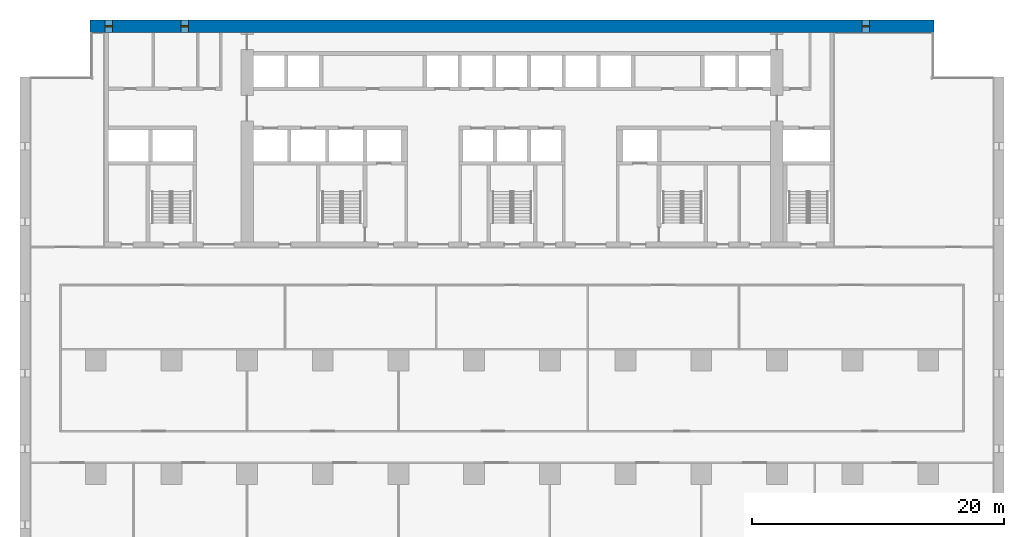
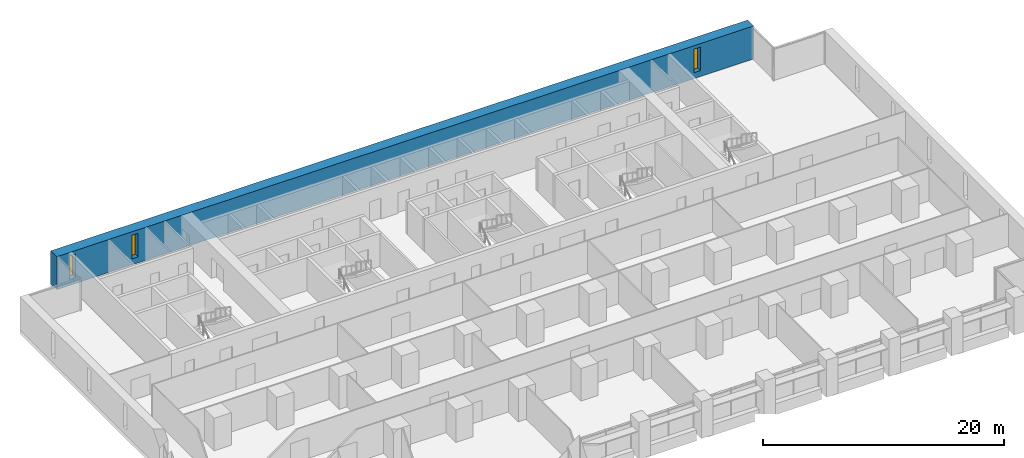
# One storey, part 12 of 18: 3 windows, 1 wall, 3 openings.
"""IFC4 building model written with IfcOpenShell, lengths in metres."""

from ifc_helpers import new_model, si_unit, direction, frame, frame_2d, origin, place, context, subcontext, project, spatial, rectangle, extrude, material, layer, layer_set, type_object, element, fill, save


model = new_model("IFC4")

# Units and contexts
model_context = context("Model", 3, precision=1e-05, world=origin(), true_north=direction((0.0, 1.0)))
body_context = subcontext(model_context, "Body", "Model", "MODEL_VIEW")
ifc_project = project(units=[si_unit("LENGTHUNIT", "METRE"), si_unit("AREAUNIT", "SQUARE_METRE"), si_unit("VOLUMEUNIT", "CUBIC_METRE"), si_unit("PLANEANGLEUNIT", "RADIAN"), si_unit("MASSUNIT", "GRAM", prefix="KILO")], contexts=[model_context])

# Site, building, storey
site_placement = place(None, origin())
site = spatial("IfcSite", under=ifc_project, at=site_placement, CompositionType="ELEMENT")
building_placement = place(site_placement, origin())
building = spatial("IfcBuilding", under=site, at=building_placement, Name="Calvaro Tower", CompositionType="ELEMENT")
storey_placement = place(building_placement, frame((0.0, 0.0, 56.25)))
storey = spatial("IfcBuildingStorey", under=building, at=storey_placement, Name="L13", CompositionType="ELEMENT", Elevation=56.25)

# Wall, openings, windows
ifc_material_1 = material(Name="Concrete C80/95", Category="concrete")
ifc_layer = layer(ifc_material_1, 1.0)
ifc_layer_set = layer_set([ifc_layer], Name="Concrete C80/95")
wall_type = type_object("IfcWallType", Name="Rear core wall 1000 C80/95", PredefinedType="SHEAR", material=ifc_layer_set)
wall_placement = place(storey_placement, frame((5.550048828125, 45.5, 0.0), z_axis=(0.0, 0.0, 1.0), x_axis=(1.0, 0.0, 0.0)))
wall = element("IfcWall", 1, at=wall_placement, inside=storey, type_object=wall_type, Name="North core wall", PredefinedType="SHEAR", context=body_context, shape_type="SweptSolid", body=[
    extrude(rectangle(XDim=66.89990234375, YDim=1.0, at=frame_2d((33.449951171875, 0.0))), origin(), (0.0, 0.0, 1.0), 3.35009765625),
])
opening_1_placement = place(wall_placement, frame((1.199951171875, 0.0, 0.60009765625)))
opening_1 = element("IfcOpeningElement", 2, at=opening_1_placement, cuts=wall, Name="Opening WN01", PredefinedType="OPENING", context=body_context, shape_type="SweptSolid", body=[
    extrude(rectangle(XDim=0.60009765625, YDim=2.39990234375, at=frame_2d((0.300048828125, 1.199951171875))), frame((0.0, 0.510009765625, 0.0), z_axis=(0.0, -1.0, 0.0), x_axis=(1.0, 0.0, 0.0)), (0.0, 0.0, 1.0), 1.02001953125),
])
opening_2_placement = place(wall_placement, frame((7.199951171875, 0.0, 0.60009765625)))
opening_2 = element("IfcOpeningElement", 3, at=opening_2_placement, cuts=wall, Name="Opening WN02", PredefinedType="OPENING", context=body_context, shape_type="SweptSolid", body=[
    extrude(rectangle(XDim=0.60009765625, YDim=2.39990234375, at=frame_2d((0.300048828125, 1.199951171875))), frame((0.0, 0.510009765625, 0.0), z_axis=(0.0, -1.0, 0.0), x_axis=(1.0, 0.0, 0.0)), (0.0, 0.0, 1.0), 1.02001953125),
])
opening_3_placement = place(wall_placement, frame((61.199951171875, 0.0, 0.60009765625)))
opening_3 = element("IfcOpeningElement", 4, at=opening_3_placement, cuts=wall, Name="Opening WN11", PredefinedType="OPENING", context=body_context, shape_type="SweptSolid", body=[
    extrude(rectangle(XDim=0.60009765625, YDim=2.39990234375, at=frame_2d((0.300048828125, 1.199951171875))), frame((0.0, 0.510009765625, 0.0), z_axis=(0.0, -1.0, 0.0), x_axis=(1.0, 0.0, 0.0)), (0.0, 0.0, 1.0), 1.02001953125),
])
ifc_material_2 = material(Name="Glass", Category="glass")
window_type = type_object("IfcWindowType", Name="Slit window 600 x 2400", PartitioningType="SINGLE_PANEL", PredefinedType="WINDOW", material=ifc_material_2)
window_1_placement = place(opening_1_placement, origin())
window_1 = element("IfcWindow", 5, at=window_1_placement, inside=storey, type_object=window_type, Name="Window WN01", OverallHeight=2.39990234375, OverallWidth=0.60009765625, PartitioningType="SINGLE_PANEL", PredefinedType="WINDOW", context=body_context, shape_type="SweptSolid", body=[
    extrude(rectangle(XDim=0.60009765625, YDim=2.39990234375, at=frame_2d((0.300048828125, 1.199951171875))), frame((0.0, 0.030029296875, 0.0), z_axis=(0.0, -1.0, 0.0), x_axis=(1.0, 0.0, 0.0)), (0.0, 0.0, 1.0), 0.06005859375),
])
fill(opening_1, window_1)
window_2_placement = place(opening_2_placement, origin())
window_2 = element("IfcWindow", 6, at=window_2_placement, inside=storey, type_object=window_type, Name="Window WN02", OverallHeight=2.39990234375, OverallWidth=0.60009765625, PartitioningType="SINGLE_PANEL", PredefinedType="WINDOW", context=body_context, shape_type="SweptSolid", body=[
    extrude(rectangle(XDim=0.60009765625, YDim=2.39990234375, at=frame_2d((0.300048828125, 1.199951171875))), frame((0.0, 0.030029296875, 0.0), z_axis=(0.0, -1.0, 0.0), x_axis=(1.0, 0.0, 0.0)), (0.0, 0.0, 1.0), 0.06005859375),
])
fill(opening_2, window_2)
window_3_placement = place(opening_3_placement, origin())
window_3 = element("IfcWindow", 7, at=window_3_placement, inside=storey, type_object=window_type, Name="Window WN11", OverallHeight=2.39990234375, OverallWidth=0.60009765625, PartitioningType="SINGLE_PANEL", PredefinedType="WINDOW", context=body_context, shape_type="SweptSolid", body=[
    extrude(rectangle(XDim=0.60009765625, YDim=2.39990234375, at=frame_2d((0.300048828125, 1.199951171875))), frame((0.0, 0.030029296875, 0.0), z_axis=(0.0, -1.0, 0.0), x_axis=(1.0, 0.0, 0.0)), (0.0, 0.0, 1.0), 0.06005859375),
])
fill(opening_3, window_3)

save(model, "model.ifc")
